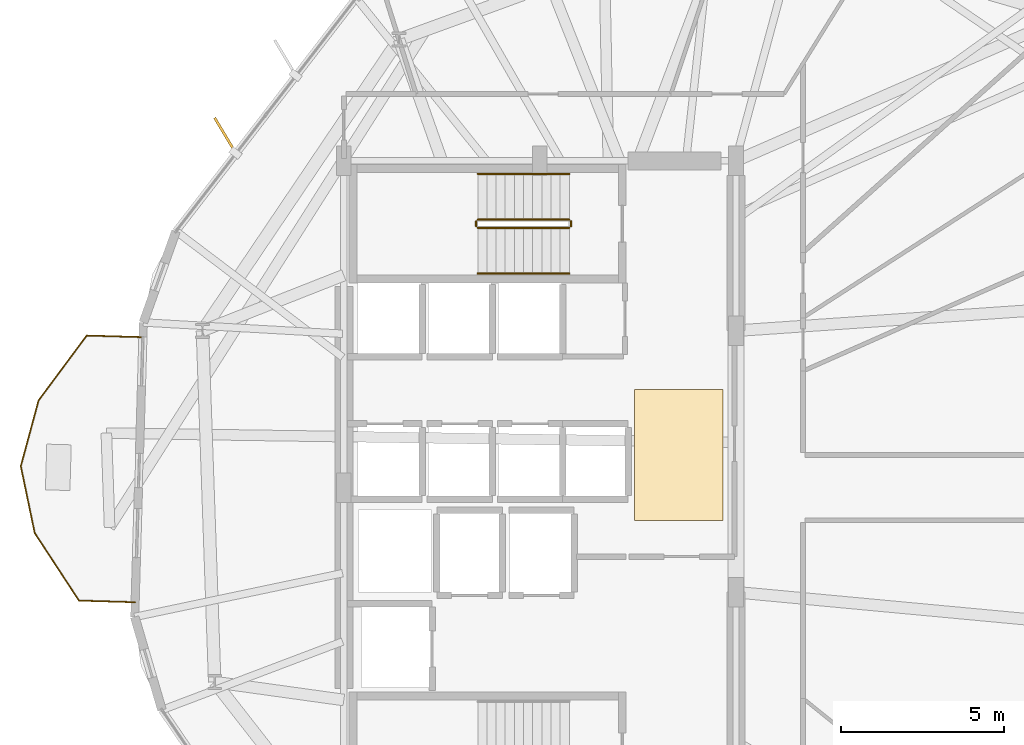
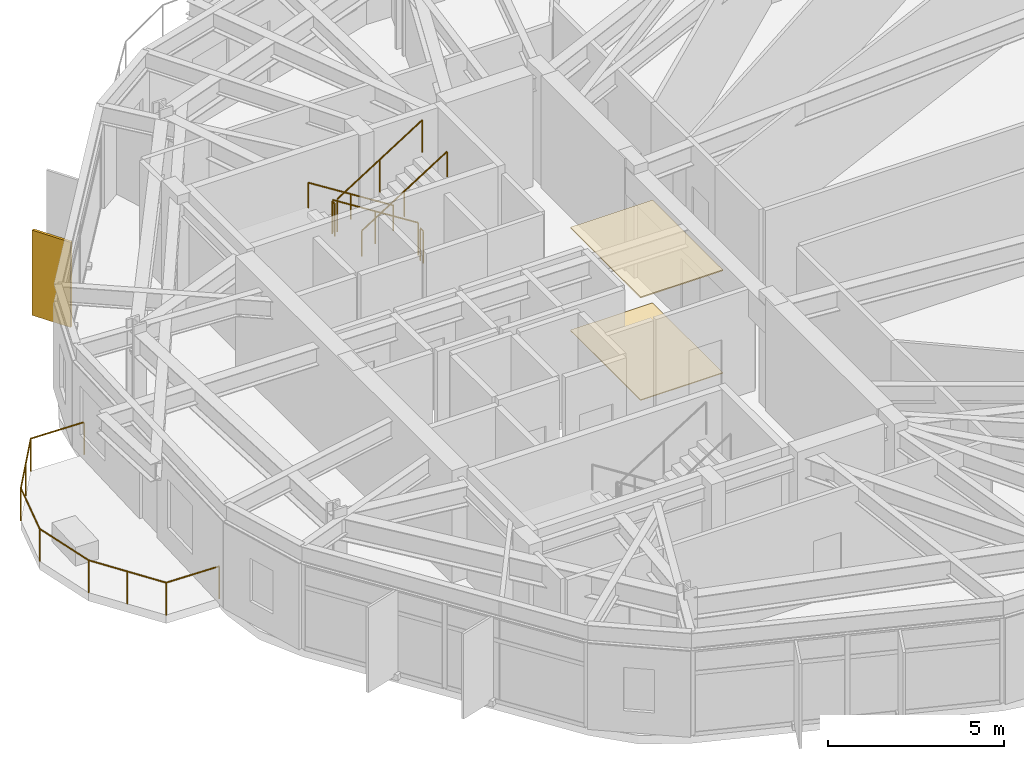
# One storey, part 23 of 24: 7 railings, 2 coverings, 1 shading device.
"""IFC4 building model written with IfcOpenShell, lengths in metres."""

import ifcopenshell
import ifcopenshell.guid

model = None  # the IFC model being written
_history = None  # IfcOwnerHistory: only IFC2X3 demands one
_inside = {}  # id of a spatial element -> (the spatial element, [elements in it])
_under = {}  # id of a project, library or spatial element -> (it, [spatial elements below it])
_declared = {}  # id of a project -> (the project, [libraries it declares])
_typed = {}  # id of a type object -> (the type object, [elements of that type])
_made_of = {}  # id of a material, layer set ... -> (it, [elements and type objects made of it])


def new_model(schema):
    """Start an empty IFC model of exactly this schema.

    Asked for "IFC4X3", IfcOpenShell would pick the latest addendum, in which some entities
    have other attributes; the version numbers below select the first issue.
    IFC2X3 requires an IfcOwnerHistory on every rooted entity: one is made here for all.
    """
    global model, _history
    if schema == "IFC4X3":
        model = ifcopenshell.file(schema_version=(4, 3, 0, 0))
    else:
        model = ifcopenshell.file(schema=schema)
    _inside.clear()
    _under.clear()
    _declared.clear()
    _typed.clear()
    _made_of.clear()
    _history = None
    if model.schema == "IFC2X3":
        org = make("IfcOrganization", Name="unknown")
        user = make(
            "IfcPersonAndOrganization",
            ThePerson=make("IfcPerson", FamilyName="unknown"),
            TheOrganization=org,
        )
        app = make(
            "IfcApplication",
            ApplicationDeveloper=org,
            Version="unknown",
            ApplicationFullName="unknown",
            ApplicationIdentifier="unknown",
        )
        _history = make(
            "IfcOwnerHistory",
            OwningUser=user,
            OwningApplication=app,
            ChangeAction="ADDED",
            CreationDate=0,
        )
    return model


def make(cls, **values):
    """One entity of the class cls with the attributes given. An attribute that is None is left unset."""
    return model.create_entity(
        cls, **{name: value for name, value in values.items() if value is not None}
    )


def rooted(cls, **values):
    """An entity with a GlobalId (a new one), such as an element, a storey or a relation."""
    return make(cls, GlobalId=ifcopenshell.guid.new(), OwnerHistory=_history, **values)


def si_unit(unit_type, name, prefix=None):
    """IfcSIUnit, for example si_unit("LENGTHUNIT", "METRE", prefix="MILLI")."""
    return make("IfcSIUnit", UnitType=unit_type, Prefix=prefix, Name=name)


def assignment(units):
    """IfcUnitAssignment: the units of a project."""
    return None if units is None else make("IfcUnitAssignment", Units=units)


def point(xyz):
    """IfcCartesianPoint."""
    return None if xyz is None else make("IfcCartesianPoint", Coordinates=xyz)


def direction(xyz):
    """IfcDirection."""
    return None if xyz is None else make("IfcDirection", DirectionRatios=xyz)


def frame(location, z_axis=None, x_axis=None):
    """IfcAxis2Placement3D, a coordinate frame: its origin and axes. An axis left out is left unset."""
    return make(
        "IfcAxis2Placement3D",
        Location=point(location),
        Axis=direction(z_axis),
        RefDirection=direction(x_axis),
    )


def frame_2d(location, x_axis=None):
    """IfcAxis2Placement2D, a coordinate frame in the plane: its origin and x axis."""
    return make(
        "IfcAxis2Placement2D", Location=point(location), RefDirection=direction(x_axis)
    )


def origin():
    """The frame at (0, 0, 0) with its axes left unset."""
    return frame((0.0, 0.0, 0.0))


def origin_2d():
    """The frame at (0, 0) in the plane with its x axis left unset."""
    return frame_2d((0.0, 0.0))


def place(relative_to, where):
    """IfcLocalPlacement: puts the frame where relative to a parent placement (None: the world)."""
    return make(
        "IfcLocalPlacement", PlacementRelTo=relative_to, RelativePlacement=where
    )


def context(
    kind, dimensions, precision=None, world=None, true_north=None, identifier=None
):
    """IfcGeometricRepresentationContext, for example the 3D "Model" context."""
    return make(
        "IfcGeometricRepresentationContext",
        ContextIdentifier=identifier,
        ContextType=kind,
        CoordinateSpaceDimension=dimensions,
        Precision=precision,
        WorldCoordinateSystem=world,
        TrueNorth=true_north,
    )


def subcontext(parent, identifier, kind, view, scale=None):
    """IfcGeometricRepresentationSubContext, for example "Body" below "Model"."""
    return make(
        "IfcGeometricRepresentationSubContext",
        ContextIdentifier=identifier,
        ContextType=kind,
        ParentContext=parent,
        TargetScale=scale,
        TargetView=view,
    )


def project(units=None, contexts=None):
    """IfcProject with its units and contexts."""
    return rooted(
        "IfcProject",
        Name="project",
        RepresentationContexts=contexts,
        UnitsInContext=assignment(units),
    )


def spatial(cls, under=None, at=None, **own):
    """A site, building, storey or space (cls), placed at a placement, below another one or the project."""
    s = rooted(cls, ObjectPlacement=at, **own)
    if under is not None:
        _under.setdefault(under.id(), (under, []))[1].append(s)
    return s


def polyline(points):
    """IfcPolyline through the points."""
    return make("IfcPolyline", Points=[point(p) for p in points])


def profile(cls, at=None, kind="AREA", **sizes):
    """A parametric profile (cls). Its sizes go by their IFC names, for example OverallWidth=200.0."""
    return make(cls, ProfileType=kind, Position=at, **sizes)


def rectangle(**sizes):
    """IfcRectangleProfileDef."""
    return profile("IfcRectangleProfileDef", **sizes)


def circle(**sizes):
    """IfcCircleProfileDef."""
    return profile("IfcCircleProfileDef", **sizes)


def outline(outer, holes=None, kind="AREA"):
    """IfcArbitraryClosedProfileDef: a profile drawn as a closed curve; with holes, ...WithVoids."""
    if holes is None:
        return make("IfcArbitraryClosedProfileDef", ProfileType=kind, OuterCurve=outer)
    return make(
        "IfcArbitraryProfileDefWithVoids",
        ProfileType=kind,
        OuterCurve=outer,
        InnerCurves=holes,
    )


def extrude(swept, where, along, depth):
    """IfcExtrudedAreaSolid: the profile swept, set in the frame where, extruded along a direction by depth."""
    return make(
        "IfcExtrudedAreaSolid",
        SweptArea=swept,
        Position=where,
        ExtrudedDirection=direction(along),
        Depth=depth,
    )


def shape(context_of_items, identifier, shape_type, items):
    """IfcShapeRepresentation: the items that make up one representation, for example the "Body"."""
    return make(
        "IfcShapeRepresentation",
        ContextOfItems=context_of_items,
        RepresentationIdentifier=identifier,
        RepresentationType=shape_type,
        Items=items,
    )


def material(Name=None, Category=None):
    """IfcMaterial."""
    return make("IfcMaterial", Name=Name, Category=Category)


def layer(
    of_material, thickness, ventilated=None, Name=None, Category=None, Priority=None
):
    """IfcMaterialLayer: one layer of a wall or slab, of a material (None: an air gap)."""
    return make(
        "IfcMaterialLayer",
        Material=of_material,
        LayerThickness=thickness,
        IsVentilated=ventilated,
        Name=Name,
        Category=Category,
        Priority=Priority,
    )


def layer_set(layers, Name=None):
    """IfcMaterialLayerSet."""
    return make("IfcMaterialLayerSet", MaterialLayers=layers, LayerSetName=Name)


def made_of(thing, what):
    """Note that an element or type object is made of a material, layer set ...; save() writes the relation."""
    if what is not None:
        _made_of.setdefault(what.id(), (what, []))[1].append(thing)
    return thing


def type_object(cls, material=None, **own):
    """A type object (cls), such as IfcWallType, which elements share."""
    return made_of(rooted(cls, **own), material)


def element(
    cls,
    number,
    at=None,
    inside=None,
    cuts=None,
    type_object=None,
    material=None,
    context=None,
    identifier="Body",
    shape_type=None,
    held_by="IfcProductDefinitionShape",
    body=None,
    shapes=None,
    **own,
):
    """One element of the class cls, such as IfcWall. Its Tag is "e" and its number.

    at: its placement. inside: the storey or other place that contains it. cuts: it is an
    opening in that element (IfcRelVoidsElement). A single representation is given by context,
    identifier, shape_type and body (its items); several are given by shapes. held_by: the class
    of the entity that holds the representations. save() writes the other relations.
    """
    e = rooted(cls, Tag="e%d" % number, ObjectPlacement=at, **own)
    if body is not None:
        shapes = [shape(context, identifier, shape_type, body)]
    if shapes is not None:
        e.Representation = make(held_by, Representations=shapes)
    if inside is not None:
        _inside.setdefault(inside.id(), (inside, []))[1].append(e)
    if cuts is not None:
        rooted(
            "IfcRelVoidsElement", RelatingBuildingElement=cuts, RelatedOpeningElement=e
        )
    if type_object is not None:
        _typed.setdefault(type_object.id(), (type_object, []))[1].append(e)
    return made_of(e, material)


def aggregate(whole, parts):
    """IfcRelAggregates: a whole, such as a stair, and the parts it consists of."""
    return rooted("IfcRelAggregates", RelatingObject=whole, RelatedObjects=parts)


def save(model, path):
    """Write the relations noted so far, then the file.

    IfcRelAggregates (storeys below a building ...), IfcRelContainedInSpatialStructure (elements
    in a storey), IfcRelDefinesByType, IfcRelAssociatesMaterial and IfcRelDeclares: one each for
    every whole, place, type object, material and project.
    """
    for whole, parts in _under.values():
        aggregate(whole, parts)
    for where, things in _inside.values():
        rooted(
            "IfcRelContainedInSpatialStructure",
            RelatedElements=things,
            RelatingStructure=where,
        )
    for kind, things in _typed.values():
        rooted("IfcRelDefinesByType", RelatedObjects=things, RelatingType=kind)
    for what, things in _made_of.values():
        rooted("IfcRelAssociatesMaterial", RelatedObjects=things, RelatingMaterial=what)
    for by, libraries in _declared.values():
        rooted("IfcRelDeclares", RelatingContext=by, RelatedDefinitions=libraries)
    model.write(path)


model = new_model("IFC4")

# Units and contexts
model_context = context("Model", 3, precision=1e-05, world=origin(), true_north=direction((0.0, 1.0)))
body_context = subcontext(model_context, "Body", "Model", "MODEL_VIEW")
ifc_project = project(units=[si_unit("LENGTHUNIT", "METRE"), si_unit("AREAUNIT", "SQUARE_METRE"), si_unit("VOLUMEUNIT", "CUBIC_METRE"), si_unit("PLANEANGLEUNIT", "RADIAN"), si_unit("MASSUNIT", "GRAM", prefix="KILO")], contexts=[model_context])

# Site, building, storey
site_placement = place(None, origin())
site = spatial("IfcSite", under=ifc_project, at=site_placement, CompositionType="ELEMENT")
building_placement = place(site_placement, origin())
building = spatial("IfcBuilding", under=site, at=building_placement, Name="Soratama Intermodal Tower", CompositionType="ELEMENT")
storey_placement = place(building_placement, frame((0.0, 0.0, 91.300048828125)))
storey = spatial("IfcBuildingStorey", under=building, at=storey_placement, Name="L21", CompositionType="ELEMENT", Elevation=91.300048828125)

# Coverings
ifc_material_1 = material(Name="Perforated mineral acoustic ceiling", Category="concrete")
ifc_layer_1 = layer(ifc_material_1, 0.0400390625)
ifc_layer_set_1 = layer_set([ifc_layer_1], Name="Perforated mineral acoustic ceiling")
covering_type_1 = type_object("IfcCoveringType", Name="CV-CEIL-ACOUSTIC", PredefinedType="CEILING", material=ifc_layer_set_1)
covering_1_placement = place(storey_placement, frame((0.0, 0.0, 3.56005859375)))
element("IfcCovering", 1, at=covering_1_placement, inside=storey, type_object=covering_type_1, Name="L21 Acoustic Ceiling", PredefinedType="CEILING", context=body_context, shape_type="SweptSolid", body=[
    extrude(outline(polyline([(41.5, 24.0), (44.199951171875, 24.0), (44.199951171875, 28.0), (41.5, 28.0), (41.5, 24.0)])), origin(), (0.0, 0.0, 1.0), 0.039794921875),
])
ifc_material_2 = material(Name="Polished Andean stone terrazzo flooring", Category="masonry")
ifc_layer_2 = layer(ifc_material_2, 0.030029296875)
ifc_layer_set_2 = layer_set([ifc_layer_2], Name="Polished Andean stone terrazzo flooring")
covering_type_2 = type_object("IfcCoveringType", Name="CV-FLOR-TERRAZZO", PredefinedType="FLOORING", material=ifc_layer_set_2)
covering_2_placement = place(storey_placement, origin())
element("IfcCovering", 2, at=covering_2_placement, inside=storey, type_object=covering_type_2, Name="L21 Lobby Terrazzo Flooring", PredefinedType="FLOORING", context=body_context, shape_type="SweptSolid", body=[
    extrude(outline(polyline([(41.5, 24.0), (44.199951171875, 24.0), (44.199951171875, 28.0), (41.5, 28.0), (41.5, 24.0)])), origin(), (0.0, 0.0, 1.0), 0.030029296875),
])

# Railings
ifc_material_3 = material(Name="Laminated glass and stainless steel balustrade", Category="steel")
railing_type_1 = type_object("IfcRailingType", Name="RL-BAL-1150", PredefinedType="BALUSTRADE", material=ifc_material_3)
railing_1_placement = place(storey_placement, frame((26.213623046875, 21.490966796875, 0.0)))
element("IfcRailing", 3, at=railing_1_placement, inside=storey, type_object=railing_type_1, Name="L21 Balcony Balustrade 3", PredefinedType="BALUSTRADE", context=body_context, shape_type="SweptSolid", body=[
    extrude(circle(Radius=0.02392578125, at=origin_2d()), frame((0.0, 0.0, 1.1259765625), z_axis=(-0.999572403856, 0.029240544617, 0.0), x_axis=(-0.029240544617, -0.999572403856, 0.0)), (0.0, 0.0, 1.0), 1.719970703125),
    extrude(circle(Radius=0.02392578125, at=origin_2d()), frame((-1.71923828125, 0.05029296875, 1.1259765625), z_axis=(-0.547711931437, 0.836666982832, 0.0), x_axis=(-0.836666982832, -0.547711931437, 0.0)), (0.0, 0.0, 1.0), 2.473876953125),
    extrude(circle(Radius=0.02392578125, at=origin_2d()), frame((-3.07421875, 2.1201171875, 1.1259765625), z_axis=(-0.203828093945, 0.979006694624, 0.0), x_axis=(-0.979006694624, -0.203828093945, 0.0)), (0.0, 0.0, 1.0), 2.08642578125),
    extrude(circle(Radius=0.02392578125, at=origin_2d()), frame((-3.49951171875, 4.162841796875, 1.1259765625), z_axis=(0.260858914784, 0.965376934973, 0.0), x_axis=(-0.965376934973, 0.260858914784, 0.0)), (0.0, 0.0, 1.0), 2.086181640625),
    extrude(circle(Radius=0.02392578125, at=origin_2d()), frame((-2.955322265625, 6.1767578125, 1.1259765625), z_axis=(0.595855136786, 0.80309193494, 0.0), x_axis=(-0.80309193494, 0.595855136786, 0.0)), (0.0, 0.0, 1.0), 2.473876953125),
    extrude(circle(Radius=0.02392578125, at=origin_2d()), frame((-1.481201171875, 8.16357421875, 1.1259765625), z_axis=(0.999572403856, -0.029240544617, 0.0), x_axis=(0.029240544617, 0.999572403856, 0.0)), (0.0, 0.0, 1.0), 1.719970703125),
    extrude(circle(Radius=0.02099609375, at=origin_2d()), origin(), (0.0, 0.0, 1.0), 1.101806640625),
    extrude(circle(Radius=0.02099609375, at=origin_2d()), frame((-1.71923828125, 0.05029296875, 0.0)), (0.0, 0.0, 1.0), 1.101806640625),
    extrude(circle(Radius=0.02099609375, at=origin_2d()), frame((-2.396728515625, 1.085205078125, 0.0)), (0.0, 0.0, 1.0), 1.101806640625),
    extrude(circle(Radius=0.02099609375, at=origin_2d()), frame((-3.07421875, 2.1201171875, 0.0)), (0.0, 0.0, 1.0), 1.101806640625),
    extrude(circle(Radius=0.02099609375, at=origin_2d()), frame((-3.49951171875, 4.162841796875, 0.0)), (0.0, 0.0, 1.0), 1.101806640625),
    extrude(circle(Radius=0.02099609375, at=origin_2d()), frame((-2.955322265625, 6.1767578125, 0.0)), (0.0, 0.0, 1.0), 1.101806640625),
    extrude(circle(Radius=0.02099609375, at=origin_2d()), frame((-2.21826171875, 7.170166015625, 0.0)), (0.0, 0.0, 1.0), 1.101806640625),
    extrude(circle(Radius=0.02099609375, at=origin_2d()), frame((-1.481201171875, 8.16357421875, 0.0)), (0.0, 0.0, 1.0), 1.101806640625),
    extrude(circle(Radius=0.02099609375, at=origin_2d()), frame((0.238037109375, 8.11328125, 0.0)), (0.0, 0.0, 1.0), 1.101806640625),
])
ifc_material_4 = material(Name="Painted steel stair guardrail", Category="steel")
railing_type_2 = type_object("IfcRailingType", Name="RL-STAIR-GUARD", PredefinedType="GUARDRAIL", material=ifc_material_4)
railing_2_placement = place(storey_placement, frame((39.5, 33.199951171875, 0.17724609375)))
element("IfcRailing", 4, at=railing_2_placement, inside=storey, type_object=railing_type_2, Name="L21 ST-2 stair guard 1", PredefinedType="GUARDRAIL", context=body_context, shape_type="SweptSolid", body=[
    extrude(circle(Radius=0.02392578125, at=origin_2d()), frame((0.0, 0.0, 1.1259765625), z_axis=(-0.844908973607, 0.0, 0.534910110503), x_axis=(0.0, -1.0, 0.0)), (0.0, 0.0, 1.0), 3.31396484375),
    extrude(circle(Radius=0.02099609375, at=origin_2d()), origin(), (0.0, 0.0, 1.0), 1.101806640625),
    extrude(circle(Radius=0.02099609375, at=origin_2d()), frame((-1.39990234375, 0.0, 0.88623046875)), (0.0, 0.0, 1.0), 1.101806640625),
    extrude(circle(Radius=0.02099609375, at=origin_2d()), frame((-2.800048828125, 0.0, 1.772705078125)), (0.0, 0.0, 1.0), 1.101806640625),
])
railing_3_placement = place(storey_placement, frame((36.64990234375, 33.14990234375, 1.949951171875)))
element("IfcRailing", 5, at=railing_3_placement, inside=storey, type_object=railing_type_2, Name="L21 ST-2 stair guard 2", PredefinedType="GUARDRAIL", context=body_context, shape_type="SweptSolid", body=[
    extrude(circle(Radius=0.02392578125, at=origin_2d()), frame((0.0, 0.0, 1.1259765625), z_axis=(0.0, -1.0, 0.0), x_axis=(1.0, 0.0, 0.0)), (0.0, 0.0, 1.0), 0.14990234375),
    extrude(circle(Radius=0.02099609375, at=origin_2d()), origin(), (0.0, 0.0, 1.0), 1.101806640625),
    extrude(circle(Radius=0.02099609375, at=origin_2d()), frame((0.0, -0.14990234375, 0.0)), (0.0, 0.0, 1.0), 1.101806640625),
])
railing_4_placement = place(storey_placement, frame((36.699951171875, 32.949951171875, 2.127197265625)))
element("IfcRailing", 6, at=railing_4_placement, inside=storey, type_object=railing_type_2, Name="L21 ST-2 stair guard 3", PredefinedType="GUARDRAIL", context=body_context, shape_type="SweptSolid", body=[
    extrude(circle(Radius=0.02392578125, at=origin_2d()), frame((0.0, 0.0, 1.1259765625), z_axis=(0.844908973607, 0.0, 0.534910110503), x_axis=(0.0, 1.0, 0.0)), (0.0, 0.0, 1.0), 3.31396484375),
    extrude(circle(Radius=0.02099609375, at=origin_2d()), origin(), (0.0, 0.0, 1.0), 1.101806640625),
    extrude(circle(Radius=0.02099609375, at=origin_2d()), frame((1.39990234375, 0.0, 0.88623046875)), (0.0, 0.0, 1.0), 1.101806640625),
    extrude(circle(Radius=0.02099609375, at=origin_2d()), frame((2.800048828125, 0.0, 1.772705078125)), (0.0, 0.0, 1.0), 1.101806640625),
])
railing_5_placement = place(storey_placement, frame((39.550048828125, 33.14990234375, 0.0)))
element("IfcRailing", 7, at=railing_5_placement, inside=storey, type_object=railing_type_2, Name="L21 ST-2 stair guard 4", PredefinedType="GUARDRAIL", context=body_context, shape_type="SweptSolid", body=[
    extrude(circle(Radius=0.02392578125, at=origin_2d()), frame((0.0, 0.0, 1.1259765625), z_axis=(0.0, -1.0, 0.0), x_axis=(1.0, 0.0, 0.0)), (0.0, 0.0, 1.0), 0.14990234375),
    extrude(circle(Radius=0.02099609375, at=origin_2d()), origin(), (0.0, 0.0, 1.0), 1.101806640625),
    extrude(circle(Radius=0.02099609375, at=origin_2d()), frame((0.0, -0.14990234375, 0.0)), (0.0, 0.0, 1.0), 1.101806640625),
])
ifc_material_5 = material(Name="Brushed stainless steel handrail", Category="steel")
railing_type_3 = type_object("IfcRailingType", Name="RL-STAIR-HAND", PredefinedType="HANDRAIL", material=ifc_material_5)
railing_6_placement = place(storey_placement, frame((39.5, 34.60009765625, 0.17724609375)))
element("IfcRailing", 8, at=railing_6_placement, inside=storey, type_object=railing_type_3, Name="L21 ST-2 stair handrail 1", PredefinedType="HANDRAIL", context=body_context, shape_type="SweptSolid", body=[
    extrude(circle(Radius=0.02392578125, at=origin_2d()), frame((0.0, 0.0, 0.8759765625), z_axis=(-0.844908973607, 0.0, 0.534910110503), x_axis=(0.0, -1.0, 0.0)), (0.0, 0.0, 1.0), 3.31396484375),
    extrude(circle(Radius=0.02099609375, at=origin_2d()), origin(), (0.0, 0.0, 1.0), 0.851806640625),
    extrude(circle(Radius=0.02099609375, at=origin_2d()), frame((-1.39990234375, 0.0, 0.88623046875)), (0.0, 0.0, 1.0), 0.851806640625),
    extrude(circle(Radius=0.02099609375, at=origin_2d()), frame((-2.800048828125, 0.0, 1.772705078125)), (0.0, 0.0, 1.0), 0.851806640625),
])
railing_7_placement = place(storey_placement, frame((36.699951171875, 31.550048828125, 2.127197265625)))
element("IfcRailing", 9, at=railing_7_placement, inside=storey, type_object=railing_type_3, Name="L21 ST-2 stair handrail 2", PredefinedType="HANDRAIL", context=body_context, shape_type="SweptSolid", body=[
    extrude(circle(Radius=0.02392578125, at=origin_2d()), frame((0.0, 0.0, 0.8759765625), z_axis=(0.844908973607, 0.0, 0.534910110503), x_axis=(0.0, 1.0, 0.0)), (0.0, 0.0, 1.0), 3.31396484375),
    extrude(circle(Radius=0.02099609375, at=origin_2d()), origin(), (0.0, 0.0, 1.0), 0.851806640625),
    extrude(circle(Radius=0.02099609375, at=origin_2d()), frame((1.39990234375, 0.0, 0.88623046875)), (0.0, 0.0, 1.0), 0.851806640625),
    extrude(circle(Radius=0.02099609375, at=origin_2d()), frame((2.800048828125, 0.0, 1.772705078125)), (0.0, 0.0, 1.0), 0.851806640625),
])

# Shading device
ifc_material_6 = material(Name="Champagne anodised aluminium solar fin", Category="aluminium")
ifc_layer_3 = layer(ifc_material_6, 0.080078125)
ifc_layer_set_3 = layer_set([ifc_layer_3], Name="Champagne anodised aluminium solar fin")
shading_device_type = type_object("IfcShadingDeviceType", Name="SH-FIN-1250", PredefinedType="USERDEFINED", material=ifc_layer_set_3)
shading_device_placement = place(storey_placement, frame((28.96923828125, 35.779296875, 0.02001953125), z_axis=(0.0, 0.0, 1.0), x_axis=(-0.514140169175, 0.85770617722, 0.0)))
element("IfcShadingDevice", 10, at=shading_device_placement, inside=storey, type_object=shading_device_type, Name="L21 Solar Fin F04-2", ObjectType="FIN", PredefinedType="USERDEFINED", context=body_context, shape_type="SweptSolid", body=[
    extrude(rectangle(XDim=1.25, YDim=0.080078125, at=origin_2d()), origin(), (0.0, 0.0, 1.0), 2.958984375),
])

save(model, "model.ifc")
